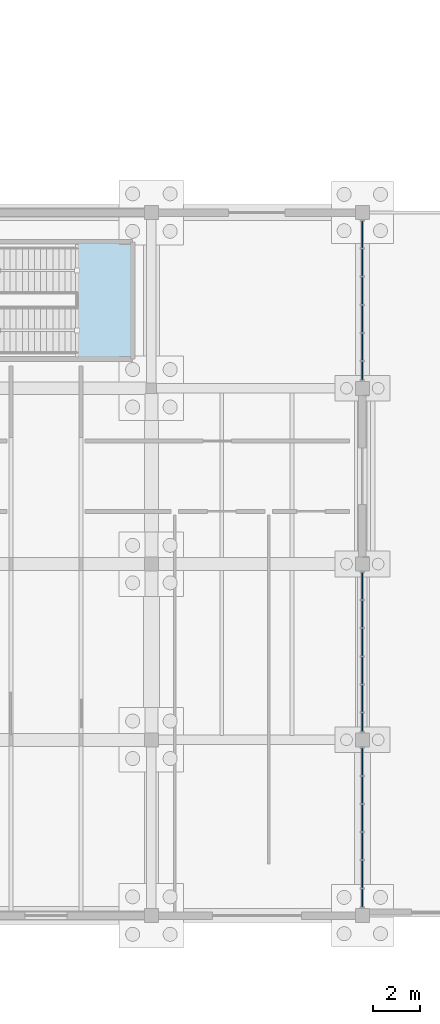
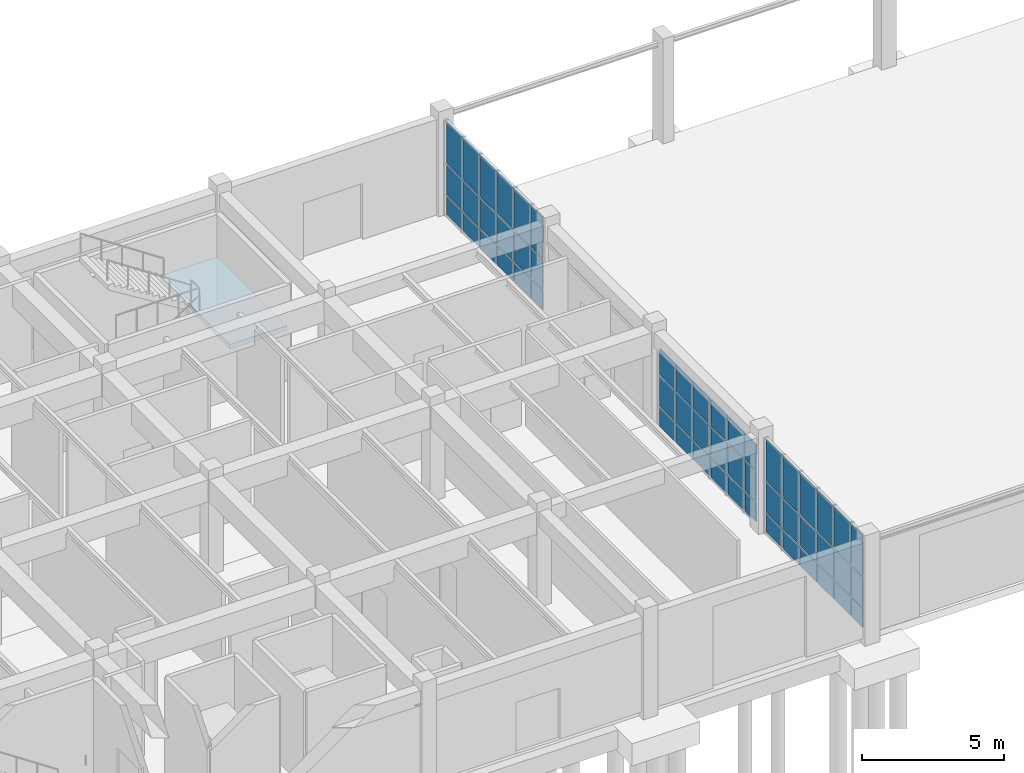
# One storey, part 46 of 93: 54 plates, 1 slab, 4 elements without a shape of their own.
"""IFC4 building model written with IfcOpenShell, lengths in metres."""

from ifc_helpers import new_model, si_unit, direction, frame, origin, origin_2d, place, context, subcontext, project, spatial, polyline, rectangle, outline, extrude, material, layer, layer_set, type_object, element, aggregate, save


model = new_model("IFC4")

# Units and contexts
model_context = context("Model", 3, precision=1e-05, world=origin(), true_north=direction((0.0, 1.0)))
body_context = subcontext(model_context, "Body", "Model", "MODEL_VIEW")
ifc_project = project(units=[si_unit("LENGTHUNIT", "METRE"), si_unit("AREAUNIT", "SQUARE_METRE"), si_unit("VOLUMEUNIT", "CUBIC_METRE"), si_unit("PLANEANGLEUNIT", "RADIAN"), si_unit("MASSUNIT", "GRAM", prefix="KILO")], contexts=[model_context])

# Site, building, storey
site_placement = place(None, origin())
site = spatial("IfcSite", under=ifc_project, at=site_placement, CompositionType="ELEMENT")
building_placement = place(site_placement, origin())
building = spatial("IfcBuilding", under=site, at=building_placement, Name="Marnridge Secondary College", CompositionType="ELEMENT")
storey_placement = place(building_placement, origin())
storey = spatial("IfcBuildingStorey", under=building, at=storey_placement, Name="L00", CompositionType="ELEMENT", Elevation=0.0)

# Curtain wall, plates
ifc_material_1 = material(Name="Thermally broken aluminium and low-E glazing", Category="aluminium")
ifc_layer_1 = layer(ifc_material_1, 0.179931640625)
ifc_layer_set_1 = layer_set([ifc_layer_1], Name="CW-MOD-1200")
curtain_wall_type = type_object("IfcCurtainWallType", Name="CW-MOD-1200", PredefinedType="NOTDEFINED", material=ifc_layer_set_1)
curtain_wall_1_placement = place(storey_placement, origin())
curtain_wall_1 = element("IfcCurtainWall", 1, at=curtain_wall_1_placement, inside=storey, type_object=curtain_wall_type, Name="Unitised curtain wall CW-L00-009", PredefinedType="NOTDEFINED")
ifc_material_2 = material(Name="Insulated aluminium spandrel panel", Category="aluminium")
ifc_layer_2 = layer(ifc_material_2, 0.0439453125)
ifc_layer_set_2 = layer_set([ifc_layer_2], Name="CWP-SPN44")
plate_type = type_object("IfcPlateType", Name="CWP-SPN44", PredefinedType="CURTAIN_PANEL", material=ifc_layer_set_2)
plate_1_placement = place(storey_placement, frame((126.0, 29.0634765625, 0.06005859375), z_axis=(0.0, 0.0, 1.0), x_axis=(0.0, -1.0, 0.0)))
plate_1 = element("IfcPlate", 2, at=plate_1_placement, type_object=plate_type, Name="CW-L00-009 panel 1.1", PredefinedType="CURTAIN_PANEL", context=body_context, shape_type="SweptSolid", body=[
    extrude(rectangle(XDim=1.135009765625, YDim=0.0439453125, at=origin_2d()), origin(), (0.0, 0.0, 1.0), 0.81005859375),
])
plate_2_placement = place(storey_placement, frame((126.0, 29.0634765625, 0.929931640625), z_axis=(0.0, 0.0, 1.0), x_axis=(0.0, -1.0, 0.0)))
plate_2 = element("IfcPlate", 3, at=plate_2_placement, type_object=plate_type, Name="CW-L00-009 panel 1.2", PredefinedType="CURTAIN_PANEL", context=body_context, shape_type="SweptSolid", body=[
    extrude(rectangle(XDim=1.135009765625, YDim=0.0439453125, at=origin_2d()), origin(), (0.0, 0.0, 1.0), 1.2900390625),
])
plate_3_placement = place(storey_placement, frame((126.0, 29.0634765625, 2.27978515625), z_axis=(0.0, 0.0, 1.0), x_axis=(0.0, -1.0, 0.0)))
plate_3 = element("IfcPlate", 4, at=plate_3_placement, type_object=plate_type, Name="CW-L00-009 panel 1.3", PredefinedType="CURTAIN_PANEL", context=body_context, shape_type="SweptSolid", body=[
    extrude(rectangle(XDim=1.135009765625, YDim=0.0439453125, at=origin_2d()), origin(), (0.0, 0.0, 1.0), 1.760009765625),
])
plate_4_placement = place(storey_placement, frame((126.0, 27.863525390625, 0.06005859375), z_axis=(0.0, 0.0, 1.0), x_axis=(0.0, -1.0, 0.0)))
plate_4 = element("IfcPlate", 5, at=plate_4_placement, type_object=plate_type, Name="CW-L00-009 panel 2.1", PredefinedType="CURTAIN_PANEL", context=body_context, shape_type="SweptSolid", body=[
    extrude(rectangle(XDim=1.135009765625, YDim=0.0439453125, at=origin_2d()), origin(), (0.0, 0.0, 1.0), 0.81005859375),
])
plate_5_placement = place(storey_placement, frame((126.0, 27.863525390625, 0.929931640625), z_axis=(0.0, 0.0, 1.0), x_axis=(0.0, -1.0, 0.0)))
plate_5 = element("IfcPlate", 6, at=plate_5_placement, type_object=plate_type, Name="CW-L00-009 panel 2.2", PredefinedType="CURTAIN_PANEL", context=body_context, shape_type="SweptSolid", body=[
    extrude(rectangle(XDim=1.135009765625, YDim=0.0439453125, at=origin_2d()), origin(), (0.0, 0.0, 1.0), 1.2900390625),
])
plate_6_placement = place(storey_placement, frame((126.0, 27.863525390625, 2.27978515625), z_axis=(0.0, 0.0, 1.0), x_axis=(0.0, -1.0, 0.0)))
plate_6 = element("IfcPlate", 7, at=plate_6_placement, type_object=plate_type, Name="CW-L00-009 panel 2.3", PredefinedType="CURTAIN_PANEL", context=body_context, shape_type="SweptSolid", body=[
    extrude(rectangle(XDim=1.135009765625, YDim=0.0439453125, at=origin_2d()), origin(), (0.0, 0.0, 1.0), 1.760009765625),
])
plate_7_placement = place(storey_placement, frame((126.0, 26.66357421875, 0.06005859375), z_axis=(0.0, 0.0, 1.0), x_axis=(0.0, -1.0, 0.0)))
plate_7 = element("IfcPlate", 8, at=plate_7_placement, type_object=plate_type, Name="CW-L00-009 panel 3.1", PredefinedType="CURTAIN_PANEL", context=body_context, shape_type="SweptSolid", body=[
    extrude(rectangle(XDim=1.135009765625, YDim=0.0439453125, at=origin_2d()), origin(), (0.0, 0.0, 1.0), 0.81005859375),
])
plate_8_placement = place(storey_placement, frame((126.0, 26.66357421875, 0.929931640625), z_axis=(0.0, 0.0, 1.0), x_axis=(0.0, -1.0, 0.0)))
plate_8 = element("IfcPlate", 9, at=plate_8_placement, type_object=plate_type, Name="CW-L00-009 panel 3.2", PredefinedType="CURTAIN_PANEL", context=body_context, shape_type="SweptSolid", body=[
    extrude(rectangle(XDim=1.135009765625, YDim=0.0439453125, at=origin_2d()), origin(), (0.0, 0.0, 1.0), 1.2900390625),
])
plate_9_placement = place(storey_placement, frame((126.0, 26.66357421875, 2.27978515625), z_axis=(0.0, 0.0, 1.0), x_axis=(0.0, -1.0, 0.0)))
plate_9 = element("IfcPlate", 10, at=plate_9_placement, type_object=plate_type, Name="CW-L00-009 panel 3.3", PredefinedType="CURTAIN_PANEL", context=body_context, shape_type="SweptSolid", body=[
    extrude(rectangle(XDim=1.135009765625, YDim=0.0439453125, at=origin_2d()), origin(), (0.0, 0.0, 1.0), 1.760009765625),
])
plate_10_placement = place(storey_placement, frame((126.0, 25.46337890625, 0.06005859375), z_axis=(0.0, 0.0, 1.0), x_axis=(0.0, -1.0, 0.0)))
plate_10 = element("IfcPlate", 11, at=plate_10_placement, type_object=plate_type, Name="CW-L00-009 panel 4.1", PredefinedType="CURTAIN_PANEL", context=body_context, shape_type="SweptSolid", body=[
    extrude(rectangle(XDim=1.135009765625, YDim=0.0439453125, at=origin_2d()), origin(), (0.0, 0.0, 1.0), 0.81005859375),
])
plate_11_placement = place(storey_placement, frame((126.0, 25.46337890625, 0.929931640625), z_axis=(0.0, 0.0, 1.0), x_axis=(0.0, -1.0, 0.0)))
plate_11 = element("IfcPlate", 12, at=plate_11_placement, type_object=plate_type, Name="CW-L00-009 panel 4.2", PredefinedType="CURTAIN_PANEL", context=body_context, shape_type="SweptSolid", body=[
    extrude(rectangle(XDim=1.135009765625, YDim=0.0439453125, at=origin_2d()), origin(), (0.0, 0.0, 1.0), 1.2900390625),
])
plate_12_placement = place(storey_placement, frame((126.0, 25.46337890625, 2.27978515625), z_axis=(0.0, 0.0, 1.0), x_axis=(0.0, -1.0, 0.0)))
plate_12 = element("IfcPlate", 13, at=plate_12_placement, type_object=plate_type, Name="CW-L00-009 panel 4.3", PredefinedType="CURTAIN_PANEL", context=body_context, shape_type="SweptSolid", body=[
    extrude(rectangle(XDim=1.135009765625, YDim=0.0439453125, at=origin_2d()), origin(), (0.0, 0.0, 1.0), 1.760009765625),
])
plate_13_placement = place(storey_placement, frame((126.0, 24.263427734375, 0.06005859375), z_axis=(0.0, 0.0, 1.0), x_axis=(0.0, -1.0, 0.0)))
plate_13 = element("IfcPlate", 14, at=plate_13_placement, type_object=plate_type, Name="CW-L00-009 panel 5.1", PredefinedType="CURTAIN_PANEL", context=body_context, shape_type="SweptSolid", body=[
    extrude(rectangle(XDim=1.135009765625, YDim=0.0439453125, at=origin_2d()), origin(), (0.0, 0.0, 1.0), 0.81005859375),
])
plate_14_placement = place(storey_placement, frame((126.0, 24.263427734375, 0.929931640625), z_axis=(0.0, 0.0, 1.0), x_axis=(0.0, -1.0, 0.0)))
plate_14 = element("IfcPlate", 15, at=plate_14_placement, type_object=plate_type, Name="CW-L00-009 panel 5.2", PredefinedType="CURTAIN_PANEL", context=body_context, shape_type="SweptSolid", body=[
    extrude(rectangle(XDim=1.135009765625, YDim=0.0439453125, at=origin_2d()), origin(), (0.0, 0.0, 1.0), 1.2900390625),
])
plate_15_placement = place(storey_placement, frame((126.0, 24.263427734375, 2.27978515625), z_axis=(0.0, 0.0, 1.0), x_axis=(0.0, -1.0, 0.0)))
plate_15 = element("IfcPlate", 16, at=plate_15_placement, type_object=plate_type, Name="CW-L00-009 panel 5.3", PredefinedType="CURTAIN_PANEL", context=body_context, shape_type="SweptSolid", body=[
    extrude(rectangle(XDim=1.135009765625, YDim=0.0439453125, at=origin_2d()), origin(), (0.0, 0.0, 1.0), 1.760009765625),
])
plate_16_placement = place(storey_placement, frame((126.0, 23.25, 0.06005859375), z_axis=(0.0, 0.0, 1.0), x_axis=(0.0, -1.0, 0.0)))
plate_16 = element("IfcPlate", 17, at=plate_16_placement, type_object=plate_type, Name="CW-L00-009 panel 6.1", PredefinedType="CURTAIN_PANEL", context=body_context, shape_type="SweptSolid", body=[
    extrude(rectangle(XDim=0.761962890625, YDim=0.0439453125, at=origin_2d()), origin(), (0.0, 0.0, 1.0), 0.81005859375),
])
plate_17_placement = place(storey_placement, frame((126.0, 23.25, 0.929931640625), z_axis=(0.0, 0.0, 1.0), x_axis=(0.0, -1.0, 0.0)))
plate_17 = element("IfcPlate", 18, at=plate_17_placement, type_object=plate_type, Name="CW-L00-009 panel 6.2", PredefinedType="CURTAIN_PANEL", context=body_context, shape_type="SweptSolid", body=[
    extrude(rectangle(XDim=0.761962890625, YDim=0.0439453125, at=origin_2d()), origin(), (0.0, 0.0, 1.0), 1.2900390625),
])
plate_18_placement = place(storey_placement, frame((126.0, 23.25, 2.27978515625), z_axis=(0.0, 0.0, 1.0), x_axis=(0.0, -1.0, 0.0)))
plate_18 = element("IfcPlate", 19, at=plate_18_placement, type_object=plate_type, Name="CW-L00-009 panel 6.3", PredefinedType="CURTAIN_PANEL", context=body_context, shape_type="SweptSolid", body=[
    extrude(rectangle(XDim=0.761962890625, YDim=0.0439453125, at=origin_2d()), origin(), (0.0, 0.0, 1.0), 1.760009765625),
])
aggregate(curtain_wall_1, [plate_1, plate_2, plate_3, plate_4, plate_5, plate_6, plate_7, plate_8, plate_9, plate_10, plate_11, plate_12, plate_13, plate_14, plate_15, plate_16, plate_17, plate_18])

curtain_wall_2_placement = place(storey_placement, origin())
curtain_wall_2 = element("IfcCurtainWall", 20, at=curtain_wall_2_placement, inside=storey, type_object=curtain_wall_type, Name="Unitised curtain wall CW-L00-010", PredefinedType="NOTDEFINED")
plate_19_placement = place(storey_placement, frame((126.0, 14.0634765625, 0.06005859375), z_axis=(0.0, 0.0, 1.0), x_axis=(0.0, -1.0, 0.0)))
plate_19 = element("IfcPlate", 21, at=plate_19_placement, type_object=plate_type, Name="CW-L00-010 panel 1.1", PredefinedType="CURTAIN_PANEL", context=body_context, shape_type="SweptSolid", body=[
    extrude(rectangle(XDim=1.135009765625, YDim=0.0439453125, at=origin_2d()), origin(), (0.0, 0.0, 1.0), 0.81005859375),
])
plate_20_placement = place(storey_placement, frame((126.0, 14.0634765625, 0.929931640625), z_axis=(0.0, 0.0, 1.0), x_axis=(0.0, -1.0, 0.0)))
plate_20 = element("IfcPlate", 22, at=plate_20_placement, type_object=plate_type, Name="CW-L00-010 panel 1.2", PredefinedType="CURTAIN_PANEL", context=body_context, shape_type="SweptSolid", body=[
    extrude(rectangle(XDim=1.135009765625, YDim=0.0439453125, at=origin_2d()), origin(), (0.0, 0.0, 1.0), 1.2900390625),
])
plate_21_placement = place(storey_placement, frame((126.0, 14.0634765625, 2.280029296875), z_axis=(0.0, 0.0, 1.0), x_axis=(0.0, -1.0, 0.0)))
plate_21 = element("IfcPlate", 23, at=plate_21_placement, type_object=plate_type, Name="CW-L00-010 panel 1.3", PredefinedType="CURTAIN_PANEL", context=body_context, shape_type="SweptSolid", body=[
    extrude(rectangle(XDim=1.135009765625, YDim=0.0439453125, at=origin_2d()), origin(), (0.0, 0.0, 1.0), 1.10205078125),
])
plate_22_placement = place(storey_placement, frame((126.0, 12.863525390625, 0.06005859375), z_axis=(0.0, 0.0, 1.0), x_axis=(0.0, -1.0, 0.0)))
plate_22 = element("IfcPlate", 24, at=plate_22_placement, type_object=plate_type, Name="CW-L00-010 panel 2.1", PredefinedType="CURTAIN_PANEL", context=body_context, shape_type="SweptSolid", body=[
    extrude(rectangle(XDim=1.135009765625, YDim=0.0439453125, at=origin_2d()), origin(), (0.0, 0.0, 1.0), 0.81005859375),
])
plate_23_placement = place(storey_placement, frame((126.0, 12.863525390625, 0.929931640625), z_axis=(0.0, 0.0, 1.0), x_axis=(0.0, -1.0, 0.0)))
plate_23 = element("IfcPlate", 25, at=plate_23_placement, type_object=plate_type, Name="CW-L00-010 panel 2.2", PredefinedType="CURTAIN_PANEL", context=body_context, shape_type="SweptSolid", body=[
    extrude(rectangle(XDim=1.135009765625, YDim=0.0439453125, at=origin_2d()), origin(), (0.0, 0.0, 1.0), 1.2900390625),
])
plate_24_placement = place(storey_placement, frame((126.0, 12.863525390625, 2.280029296875), z_axis=(0.0, 0.0, 1.0), x_axis=(0.0, -1.0, 0.0)))
plate_24 = element("IfcPlate", 26, at=plate_24_placement, type_object=plate_type, Name="CW-L00-010 panel 2.3", PredefinedType="CURTAIN_PANEL", context=body_context, shape_type="SweptSolid", body=[
    extrude(rectangle(XDim=1.135009765625, YDim=0.0439453125, at=origin_2d()), origin(), (0.0, 0.0, 1.0), 1.10205078125),
])
plate_25_placement = place(storey_placement, frame((126.0, 11.66357421875, 0.06005859375), z_axis=(0.0, 0.0, 1.0), x_axis=(0.0, -1.0, 0.0)))
plate_25 = element("IfcPlate", 27, at=plate_25_placement, type_object=plate_type, Name="CW-L00-010 panel 3.1", PredefinedType="CURTAIN_PANEL", context=body_context, shape_type="SweptSolid", body=[
    extrude(rectangle(XDim=1.135009765625, YDim=0.0439453125, at=origin_2d()), origin(), (0.0, 0.0, 1.0), 0.81005859375),
])
plate_26_placement = place(storey_placement, frame((126.0, 11.66357421875, 0.929931640625), z_axis=(0.0, 0.0, 1.0), x_axis=(0.0, -1.0, 0.0)))
plate_26 = element("IfcPlate", 28, at=plate_26_placement, type_object=plate_type, Name="CW-L00-010 panel 3.2", PredefinedType="CURTAIN_PANEL", context=body_context, shape_type="SweptSolid", body=[
    extrude(rectangle(XDim=1.135009765625, YDim=0.0439453125, at=origin_2d()), origin(), (0.0, 0.0, 1.0), 1.2900390625),
])
plate_27_placement = place(storey_placement, frame((126.0, 11.66357421875, 2.280029296875), z_axis=(0.0, 0.0, 1.0), x_axis=(0.0, -1.0, 0.0)))
plate_27 = element("IfcPlate", 29, at=plate_27_placement, type_object=plate_type, Name="CW-L00-010 panel 3.3", PredefinedType="CURTAIN_PANEL", context=body_context, shape_type="SweptSolid", body=[
    extrude(rectangle(XDim=1.135009765625, YDim=0.0439453125, at=origin_2d()), origin(), (0.0, 0.0, 1.0), 1.10205078125),
])
plate_28_placement = place(storey_placement, frame((126.0, 10.46337890625, 0.06005859375), z_axis=(0.0, 0.0, 1.0), x_axis=(0.0, -1.0, 0.0)))
plate_28 = element("IfcPlate", 30, at=plate_28_placement, type_object=plate_type, Name="CW-L00-010 panel 4.1", PredefinedType="CURTAIN_PANEL", context=body_context, shape_type="SweptSolid", body=[
    extrude(rectangle(XDim=1.135009765625, YDim=0.0439453125, at=origin_2d()), origin(), (0.0, 0.0, 1.0), 0.81005859375),
])
plate_29_placement = place(storey_placement, frame((126.0, 10.46337890625, 0.929931640625), z_axis=(0.0, 0.0, 1.0), x_axis=(0.0, -1.0, 0.0)))
plate_29 = element("IfcPlate", 31, at=plate_29_placement, type_object=plate_type, Name="CW-L00-010 panel 4.2", PredefinedType="CURTAIN_PANEL", context=body_context, shape_type="SweptSolid", body=[
    extrude(rectangle(XDim=1.135009765625, YDim=0.0439453125, at=origin_2d()), origin(), (0.0, 0.0, 1.0), 1.2900390625),
])
plate_30_placement = place(storey_placement, frame((126.0, 10.46337890625, 2.280029296875), z_axis=(0.0, 0.0, 1.0), x_axis=(0.0, -1.0, 0.0)))
plate_30 = element("IfcPlate", 32, at=plate_30_placement, type_object=plate_type, Name="CW-L00-010 panel 4.3", PredefinedType="CURTAIN_PANEL", context=body_context, shape_type="SweptSolid", body=[
    extrude(rectangle(XDim=1.135009765625, YDim=0.0439453125, at=origin_2d()), origin(), (0.0, 0.0, 1.0), 1.10205078125),
])
plate_31_placement = place(storey_placement, frame((126.0, 9.263427734375, 0.06005859375), z_axis=(0.0, 0.0, 1.0), x_axis=(0.0, -1.0, 0.0)))
plate_31 = element("IfcPlate", 33, at=plate_31_placement, type_object=plate_type, Name="CW-L00-010 panel 5.1", PredefinedType="CURTAIN_PANEL", context=body_context, shape_type="SweptSolid", body=[
    extrude(rectangle(XDim=1.135009765625, YDim=0.0439453125, at=origin_2d()), origin(), (0.0, 0.0, 1.0), 0.81005859375),
])
plate_32_placement = place(storey_placement, frame((126.0, 9.263427734375, 0.929931640625), z_axis=(0.0, 0.0, 1.0), x_axis=(0.0, -1.0, 0.0)))
plate_32 = element("IfcPlate", 34, at=plate_32_placement, type_object=plate_type, Name="CW-L00-010 panel 5.2", PredefinedType="CURTAIN_PANEL", context=body_context, shape_type="SweptSolid", body=[
    extrude(rectangle(XDim=1.135009765625, YDim=0.0439453125, at=origin_2d()), origin(), (0.0, 0.0, 1.0), 1.2900390625),
])
plate_33_placement = place(storey_placement, frame((126.0, 9.263427734375, 2.280029296875), z_axis=(0.0, 0.0, 1.0), x_axis=(0.0, -1.0, 0.0)))
plate_33 = element("IfcPlate", 35, at=plate_33_placement, type_object=plate_type, Name="CW-L00-010 panel 5.3", PredefinedType="CURTAIN_PANEL", context=body_context, shape_type="SweptSolid", body=[
    extrude(rectangle(XDim=1.135009765625, YDim=0.0439453125, at=origin_2d()), origin(), (0.0, 0.0, 1.0), 1.10205078125),
])
plate_34_placement = place(storey_placement, frame((126.0, 8.25, 0.06005859375), z_axis=(0.0, 0.0, 1.0), x_axis=(0.0, -1.0, 0.0)))
plate_34 = element("IfcPlate", 36, at=plate_34_placement, type_object=plate_type, Name="CW-L00-010 panel 6.1", PredefinedType="CURTAIN_PANEL", context=body_context, shape_type="SweptSolid", body=[
    extrude(rectangle(XDim=0.761962890625, YDim=0.0439453125, at=origin_2d()), origin(), (0.0, 0.0, 1.0), 0.81005859375),
])
plate_35_placement = place(storey_placement, frame((126.0, 8.25, 0.929931640625), z_axis=(0.0, 0.0, 1.0), x_axis=(0.0, -1.0, 0.0)))
plate_35 = element("IfcPlate", 37, at=plate_35_placement, type_object=plate_type, Name="CW-L00-010 panel 6.2", PredefinedType="CURTAIN_PANEL", context=body_context, shape_type="SweptSolid", body=[
    extrude(rectangle(XDim=0.761962890625, YDim=0.0439453125, at=origin_2d()), origin(), (0.0, 0.0, 1.0), 1.2900390625),
])
plate_36_placement = place(storey_placement, frame((126.0, 8.25, 2.280029296875), z_axis=(0.0, 0.0, 1.0), x_axis=(0.0, -1.0, 0.0)))
plate_36 = element("IfcPlate", 38, at=plate_36_placement, type_object=plate_type, Name="CW-L00-010 panel 6.3", PredefinedType="CURTAIN_PANEL", context=body_context, shape_type="SweptSolid", body=[
    extrude(rectangle(XDim=0.761962890625, YDim=0.0439453125, at=origin_2d()), origin(), (0.0, 0.0, 1.0), 1.10205078125),
])
aggregate(curtain_wall_2, [plate_19, plate_20, plate_21, plate_22, plate_23, plate_24, plate_25, plate_26, plate_27, plate_28, plate_29, plate_30, plate_31, plate_32, plate_33, plate_34, plate_35, plate_36])

curtain_wall_3_placement = place(storey_placement, origin())
curtain_wall_3 = element("IfcCurtainWall", 39, at=curtain_wall_3_placement, inside=storey, type_object=curtain_wall_type, Name="Unitised curtain wall CW-L00-011", PredefinedType="NOTDEFINED")
plate_37_placement = place(storey_placement, frame((126.0, 6.5634765625, 0.06005859375), z_axis=(0.0, 0.0, 1.0), x_axis=(0.0, -1.0, 0.0)))
plate_37 = element("IfcPlate", 40, at=plate_37_placement, type_object=plate_type, Name="CW-L00-011 panel 1.1", PredefinedType="CURTAIN_PANEL", context=body_context, shape_type="SweptSolid", body=[
    extrude(rectangle(XDim=1.135009765625, YDim=0.0439453125, at=origin_2d()), origin(), (0.0, 0.0, 1.0), 0.81005859375),
])
plate_38_placement = place(storey_placement, frame((126.0, 6.5634765625, 0.929931640625), z_axis=(0.0, 0.0, 1.0), x_axis=(0.0, -1.0, 0.0)))
plate_38 = element("IfcPlate", 41, at=plate_38_placement, type_object=plate_type, Name="CW-L00-011 panel 1.2", PredefinedType="CURTAIN_PANEL", context=body_context, shape_type="SweptSolid", body=[
    extrude(rectangle(XDim=1.135009765625, YDim=0.0439453125, at=origin_2d()), origin(), (0.0, 0.0, 1.0), 1.2900390625),
])
plate_39_placement = place(storey_placement, frame((126.0, 6.5634765625, 2.27978515625), z_axis=(0.0, 0.0, 1.0), x_axis=(0.0, -1.0, 0.0)))
plate_39 = element("IfcPlate", 42, at=plate_39_placement, type_object=plate_type, Name="CW-L00-011 panel 1.3", PredefinedType="CURTAIN_PANEL", context=body_context, shape_type="SweptSolid", body=[
    extrude(rectangle(XDim=1.135009765625, YDim=0.0439453125, at=origin_2d()), origin(), (0.0, 0.0, 1.0), 1.760009765625),
])
plate_40_placement = place(storey_placement, frame((126.0, 5.363525390625, 0.06005859375), z_axis=(0.0, 0.0, 1.0), x_axis=(0.0, -1.0, 0.0)))
plate_40 = element("IfcPlate", 43, at=plate_40_placement, type_object=plate_type, Name="CW-L00-011 panel 2.1", PredefinedType="CURTAIN_PANEL", context=body_context, shape_type="SweptSolid", body=[
    extrude(rectangle(XDim=1.135009765625, YDim=0.0439453125, at=origin_2d()), origin(), (0.0, 0.0, 1.0), 0.81005859375),
])
plate_41_placement = place(storey_placement, frame((126.0, 5.363525390625, 0.929931640625), z_axis=(0.0, 0.0, 1.0), x_axis=(0.0, -1.0, 0.0)))
plate_41 = element("IfcPlate", 44, at=plate_41_placement, type_object=plate_type, Name="CW-L00-011 panel 2.2", PredefinedType="CURTAIN_PANEL", context=body_context, shape_type="SweptSolid", body=[
    extrude(rectangle(XDim=1.135009765625, YDim=0.0439453125, at=origin_2d()), origin(), (0.0, 0.0, 1.0), 1.2900390625),
])
plate_42_placement = place(storey_placement, frame((126.0, 5.363525390625, 2.27978515625), z_axis=(0.0, 0.0, 1.0), x_axis=(0.0, -1.0, 0.0)))
plate_42 = element("IfcPlate", 45, at=plate_42_placement, type_object=plate_type, Name="CW-L00-011 panel 2.3", PredefinedType="CURTAIN_PANEL", context=body_context, shape_type="SweptSolid", body=[
    extrude(rectangle(XDim=1.135009765625, YDim=0.0439453125, at=origin_2d()), origin(), (0.0, 0.0, 1.0), 1.760009765625),
])
plate_43_placement = place(storey_placement, frame((126.0, 4.16357421875, 0.06005859375), z_axis=(0.0, 0.0, 1.0), x_axis=(0.0, -1.0, 0.0)))
plate_43 = element("IfcPlate", 46, at=plate_43_placement, type_object=plate_type, Name="CW-L00-011 panel 3.1", PredefinedType="CURTAIN_PANEL", context=body_context, shape_type="SweptSolid", body=[
    extrude(rectangle(XDim=1.135009765625, YDim=0.0439453125, at=origin_2d()), origin(), (0.0, 0.0, 1.0), 0.81005859375),
])
plate_44_placement = place(storey_placement, frame((126.0, 4.16357421875, 0.929931640625), z_axis=(0.0, 0.0, 1.0), x_axis=(0.0, -1.0, 0.0)))
plate_44 = element("IfcPlate", 47, at=plate_44_placement, type_object=plate_type, Name="CW-L00-011 panel 3.2", PredefinedType="CURTAIN_PANEL", context=body_context, shape_type="SweptSolid", body=[
    extrude(rectangle(XDim=1.135009765625, YDim=0.0439453125, at=origin_2d()), origin(), (0.0, 0.0, 1.0), 1.2900390625),
])
plate_45_placement = place(storey_placement, frame((126.0, 4.16357421875, 2.27978515625), z_axis=(0.0, 0.0, 1.0), x_axis=(0.0, -1.0, 0.0)))
plate_45 = element("IfcPlate", 48, at=plate_45_placement, type_object=plate_type, Name="CW-L00-011 panel 3.3", PredefinedType="CURTAIN_PANEL", context=body_context, shape_type="SweptSolid", body=[
    extrude(rectangle(XDim=1.135009765625, YDim=0.0439453125, at=origin_2d()), origin(), (0.0, 0.0, 1.0), 1.760009765625),
])
plate_46_placement = place(storey_placement, frame((126.0, 2.96337890625, 0.06005859375), z_axis=(0.0, 0.0, 1.0), x_axis=(0.0, -1.0, 0.0)))
plate_46 = element("IfcPlate", 49, at=plate_46_placement, type_object=plate_type, Name="CW-L00-011 panel 4.1", PredefinedType="CURTAIN_PANEL", context=body_context, shape_type="SweptSolid", body=[
    extrude(rectangle(XDim=1.135009765625, YDim=0.0439453125, at=origin_2d()), origin(), (0.0, 0.0, 1.0), 0.81005859375),
])
plate_47_placement = place(storey_placement, frame((126.0, 2.96337890625, 0.929931640625), z_axis=(0.0, 0.0, 1.0), x_axis=(0.0, -1.0, 0.0)))
plate_47 = element("IfcPlate", 50, at=plate_47_placement, type_object=plate_type, Name="CW-L00-011 panel 4.2", PredefinedType="CURTAIN_PANEL", context=body_context, shape_type="SweptSolid", body=[
    extrude(rectangle(XDim=1.135009765625, YDim=0.0439453125, at=origin_2d()), origin(), (0.0, 0.0, 1.0), 1.2900390625),
])
plate_48_placement = place(storey_placement, frame((126.0, 2.96337890625, 2.27978515625), z_axis=(0.0, 0.0, 1.0), x_axis=(0.0, -1.0, 0.0)))
plate_48 = element("IfcPlate", 51, at=plate_48_placement, type_object=plate_type, Name="CW-L00-011 panel 4.3", PredefinedType="CURTAIN_PANEL", context=body_context, shape_type="SweptSolid", body=[
    extrude(rectangle(XDim=1.135009765625, YDim=0.0439453125, at=origin_2d()), origin(), (0.0, 0.0, 1.0), 1.760009765625),
])
plate_49_placement = place(storey_placement, frame((126.0, 1.763427734375, 0.06005859375), z_axis=(0.0, 0.0, 1.0), x_axis=(0.0, -1.0, 0.0)))
plate_49 = element("IfcPlate", 52, at=plate_49_placement, type_object=plate_type, Name="CW-L00-011 panel 5.1", PredefinedType="CURTAIN_PANEL", context=body_context, shape_type="SweptSolid", body=[
    extrude(rectangle(XDim=1.135009765625, YDim=0.0439453125, at=origin_2d()), origin(), (0.0, 0.0, 1.0), 0.81005859375),
])
plate_50_placement = place(storey_placement, frame((126.0, 1.763427734375, 0.929931640625), z_axis=(0.0, 0.0, 1.0), x_axis=(0.0, -1.0, 0.0)))
plate_50 = element("IfcPlate", 53, at=plate_50_placement, type_object=plate_type, Name="CW-L00-011 panel 5.2", PredefinedType="CURTAIN_PANEL", context=body_context, shape_type="SweptSolid", body=[
    extrude(rectangle(XDim=1.135009765625, YDim=0.0439453125, at=origin_2d()), origin(), (0.0, 0.0, 1.0), 1.2900390625),
])
plate_51_placement = place(storey_placement, frame((126.0, 1.763427734375, 2.27978515625), z_axis=(0.0, 0.0, 1.0), x_axis=(0.0, -1.0, 0.0)))
plate_51 = element("IfcPlate", 54, at=plate_51_placement, type_object=plate_type, Name="CW-L00-011 panel 5.3", PredefinedType="CURTAIN_PANEL", context=body_context, shape_type="SweptSolid", body=[
    extrude(rectangle(XDim=1.135009765625, YDim=0.0439453125, at=origin_2d()), origin(), (0.0, 0.0, 1.0), 1.760009765625),
])
plate_52_placement = place(storey_placement, frame((126.0, 0.75, 0.06005859375), z_axis=(0.0, 0.0, 1.0), x_axis=(0.0, -1.0, 0.0)))
plate_52 = element("IfcPlate", 55, at=plate_52_placement, type_object=plate_type, Name="CW-L00-011 panel 6.1", PredefinedType="CURTAIN_PANEL", context=body_context, shape_type="SweptSolid", body=[
    extrude(rectangle(XDim=0.761962890625, YDim=0.0439453125, at=origin_2d()), origin(), (0.0, 0.0, 1.0), 0.81005859375),
])
plate_53_placement = place(storey_placement, frame((126.0, 0.75, 0.929931640625), z_axis=(0.0, 0.0, 1.0), x_axis=(0.0, -1.0, 0.0)))
plate_53 = element("IfcPlate", 56, at=plate_53_placement, type_object=plate_type, Name="CW-L00-011 panel 6.2", PredefinedType="CURTAIN_PANEL", context=body_context, shape_type="SweptSolid", body=[
    extrude(rectangle(XDim=0.761962890625, YDim=0.0439453125, at=origin_2d()), origin(), (0.0, 0.0, 1.0), 1.2900390625),
])
plate_54_placement = place(storey_placement, frame((126.0, 0.75, 2.27978515625), z_axis=(0.0, 0.0, 1.0), x_axis=(0.0, -1.0, 0.0)))
plate_54 = element("IfcPlate", 57, at=plate_54_placement, type_object=plate_type, Name="CW-L00-011 panel 6.3", PredefinedType="CURTAIN_PANEL", context=body_context, shape_type="SweptSolid", body=[
    extrude(rectangle(XDim=0.761962890625, YDim=0.0439453125, at=origin_2d()), origin(), (0.0, 0.0, 1.0), 1.760009765625),
])
aggregate(curtain_wall_3, [plate_37, plate_38, plate_39, plate_40, plate_41, plate_42, plate_43, plate_44, plate_45, plate_46, plate_47, plate_48, plate_49, plate_50, plate_51, plate_52, plate_53, plate_54])

# Stair, slab
ifc_material_3 = material(Name="Concrete C40/50 (AS 3600 N40, 40 MPa)", Category="concrete")
stair_type = type_object("IfcStairType", Name="STC1", PredefinedType="HALF_TURN_STAIR", material=ifc_material_3)
stair_placement = place(storey_placement, origin())
stair = element("IfcStair", 58, at=stair_placement, inside=storey, type_object=stair_type, Name="Fire-isolated stair ST-08-L00", PredefinedType="HALF_TURN_STAIR")
ifc_material_4 = material(Name="Concrete C40/50 (AS 3600 N40, 40 MPa)", Category="concrete")
ifc_layer_3 = layer(ifc_material_4, 0.199951171875)
ifc_layer_set_3 = layer_set([ifc_layer_3], Name="SL-LAND-200")
slab_type = type_object("IfcSlabType", Name="SL-LAND-200", PredefinedType="LANDING", material=ifc_layer_set_3)
slab_placement = place(storey_placement, frame((0.0, 0.0, 2.050048828125)))
slab = element("IfcSlab", 59, at=slab_placement, type_object=slab_type, Name="ST-08-L00 landing 1", PredefinedType="LANDING", context=body_context, shape_type="SweptSolid", body=[
    extrude(outline(polyline([(113.830078125, 23.81005859375), (116.139892578125, 23.81005859375), (116.139892578125, 28.68994140625), (113.830078125, 28.68994140625), (113.830078125, 23.81005859375)])), origin(), (0.0, 0.0, 1.0), 0.199951171875),
])
aggregate(stair, [slab])

save(model, "model.ifc")
